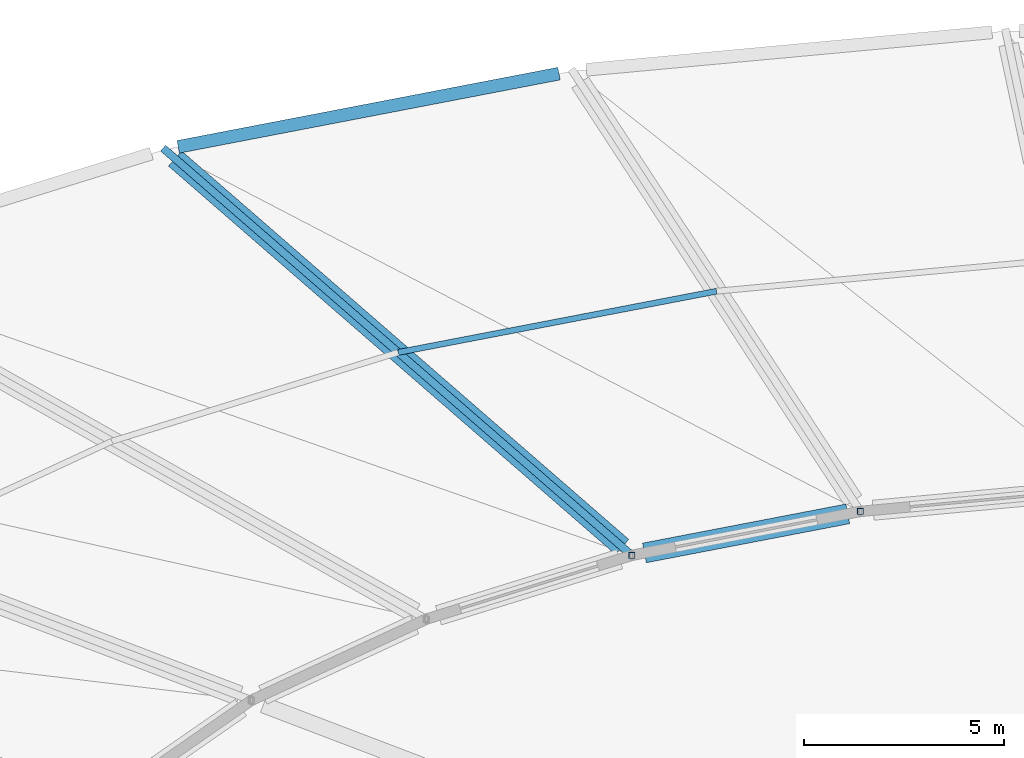
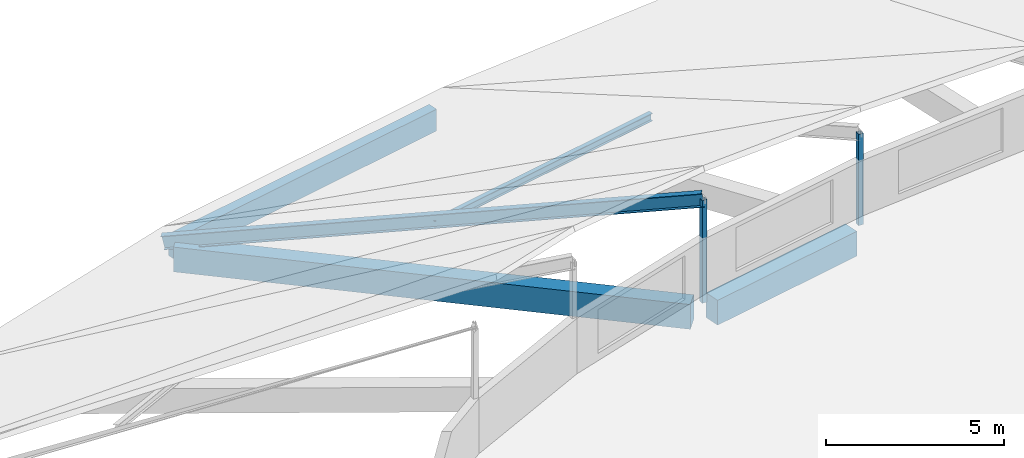
# One storey, part 69 of 142: 4 members, 3 beams.
"""IFC4 building model written with IfcOpenShell, lengths in metres."""

from ifc_helpers import new_model, si_unit, direction, frame, origin, origin_2d, place, context, subcontext, project, spatial, rectangle, hollow_rectangle, i_section, extrude, material, material_profile, profile_set, type_object, element, save


model = new_model("IFC4")

# Units and contexts
model_context = context("Model", 3, precision=1e-05, world=origin(), true_north=direction((0.0, 1.0)))
body_context = subcontext(model_context, "Body", "Model", "MODEL_VIEW")
ifc_project = project(units=[si_unit("LENGTHUNIT", "METRE"), si_unit("AREAUNIT", "SQUARE_METRE"), si_unit("VOLUMEUNIT", "CUBIC_METRE"), si_unit("PLANEANGLEUNIT", "RADIAN"), si_unit("MASSUNIT", "GRAM", prefix="KILO")], contexts=[model_context])

# Site, building, storey
site_placement = place(None, origin())
site = spatial("IfcSite", under=ifc_project, at=site_placement, CompositionType="ELEMENT")
building_placement = place(site_placement, origin())
building = spatial("IfcBuilding", under=site, at=building_placement, Name="Corvandel Quay Wholesale Market", CompositionType="ELEMENT")
storey_placement = place(building_placement, frame((0.0, 0.0, 10.800048828125)))
storey = spatial("IfcBuildingStorey", under=building, at=storey_placement, Name="L02", CompositionType="ELEMENT", Elevation=10.800048828125)

# Beams
ifc_material_1 = material(Name="Precast concrete C45/55", Category="concrete")
ifc_material_profile_1 = material_profile(ifc_material_1, rectangle(XDim=0.5, YDim=0.85009765625, at=origin_2d()), Name="PC-GIR-500x850")
ifc_profile_set_1 = profile_set([ifc_material_profile_1], Name="Precast concrete C45/55")
beam_type_1 = type_object("IfcBeamType", Name="Fish Hall Radial Girder G04 500x850", PredefinedType="USERDEFINED", material=ifc_profile_set_1)
beam_1_placement = place(storey_placement, frame((104.538818359375, 129.939697265625, -0.7451171875), z_axis=(-0.982025294811, -0.188749358548, 0.0), x_axis=(0.188749358548, -0.982025294811, 0.0)))
element("IfcBeam", 1, at=beam_1_placement, inside=storey, type_object=beam_type_1, Name="Beam BM-0588", ObjectType="GIRDER", PredefinedType="USERDEFINED", context=body_context, shape_type="SweptSolid", body=[
    extrude(rectangle(XDim=0.5, YDim=0.85009765625, at=origin_2d()), origin(), (0.0, 0.0, 1.0), 5.172607421875),
])
beam_2_placement = place(storey_placement, frame((87.734619140625, 138.814697265625, -0.7451171875), z_axis=(0.754940447909, -0.655793351683, 0.0), x_axis=(0.655793351683, 0.754940447909, 0.0)))
element("IfcBeam", 2, at=beam_2_placement, inside=storey, type_object=beam_type_1, Name="Beam BM-0596", ObjectType="GIRDER", PredefinedType="USERDEFINED", context=body_context, shape_type="SweptSolid", body=[
    extrude(rectangle(XDim=0.5, YDim=0.85009765625, at=origin_2d()), origin(), (0.0, 0.0, 1.0), 14.794189453125),
])
ifc_material_profile_2 = material_profile(ifc_material_1, rectangle(XDim=0.320068359375, YDim=0.75, at=origin_2d()), Name="PC-SPN-320x750")
ifc_profile_set_2 = profile_set([ifc_material_profile_2], Name="Precast concrete C45/55")
beam_type_2 = type_object("IfcBeamType", Name="Pavilion Precast Spandrel SP02 320x750", PredefinedType="SPANDREL", material=ifc_profile_set_2)
beam_3_placement = place(storey_placement, frame((97.326171875, 140.935791015625, -0.695068359375), z_axis=(-0.982004829196, -0.188855805938, 0.0), x_axis=(0.188855805938, -0.982004829196, 0.0)))
element("IfcBeam", 3, at=beam_3_placement, inside=storey, type_object=beam_type_2, Name="Beam BM-0587", PredefinedType="SPANDREL", context=body_context, shape_type="SweptSolid", body=[
    extrude(rectangle(XDim=0.320068359375, YDim=0.75, at=origin_2d()), origin(), (0.0, 0.0, 1.0), 9.687744140625),
])

# Members
ifc_material_2 = material(Name="Steel A992 Grade 50", Category="steel")
ifc_material_profile_3 = material_profile(ifc_material_2, i_section(OverallWidth=0.14697265625, OverallDepth=0.261962890625, WebThickness=0.006591796875, FlangeThickness=0.01123046875, at=origin_2d()), Name="W10X26")
ifc_profile_set_3 = profile_set([ifc_material_profile_3], Name="Steel A992 Grade 50")
member_type_1 = type_object("IfcMemberType", Name="Roof Clerestory Purlin Rafter RF03 W10X26", PredefinedType="RAFTER", material=ifc_profile_set_3)
member_1_placement = place(storey_placement, frame((101.259033203125, 135.50048828125, 1.281005859375), z_axis=(-0.982010533933, -0.188826140258, 0.0), x_axis=(0.188826140258, -0.982010533933, 0.0)))
element("IfcMember", 4, at=member_1_placement, inside=storey, type_object=member_type_1, Name="Member MEM-0012", PredefinedType="RAFTER", context=body_context, shape_type="SweptSolid", body=[
    extrude(i_section(OverallWidth=0.14697265625, OverallDepth=0.261962890625, WebThickness=0.006591796875, FlangeThickness=0.01123046875, at=origin_2d()), origin(), (0.0, 0.0, 1.0), 8.094970703125),
])
ifc_material_profile_4 = material_profile(ifc_material_2, i_section(OverallWidth=0.19091796875, OverallDepth=0.4599609375, WebThickness=0.010009765625, FlangeThickness=0.01611328125, at=origin_2d()), Name="W18X55")
ifc_profile_set_4 = profile_set([ifc_material_profile_4], Name="Steel A992 Grade 50")
member_type_2 = type_object("IfcMemberType", Name="Sawtooth Clerestory Rafter RF02 W18X55", PredefinedType="RAFTER", material=ifc_profile_set_4)
member_2_placement = place(storey_placement, frame((87.47412109375, 139.041015625, -0.340087890625), z_axis=(0.736096110947, -0.639410739835, 0.222073008788), x_axis=(0.655785682132, 0.754947110142, 0.0)))
element("IfcMember", 5, at=member_2_placement, inside=storey, type_object=member_type_2, Name="Member MEM-0013", PredefinedType="RAFTER", context=body_context, shape_type="SweptSolid", body=[
    extrude(i_section(OverallWidth=0.19091796875, OverallDepth=0.4599609375, WebThickness=0.010009765625, FlangeThickness=0.01611328125, at=origin_2d()), origin(), (0.0, 0.0, 1.0), 15.855224609375),
])
ifc_material_3 = material(Name="Steel A500 Grade C", Category="steel")
ifc_material_profile_5 = material_profile(ifc_material_3, hollow_rectangle(XDim=0.152099609375, YDim=0.152099609375, WallThickness=0.0087890625, at=origin_2d()), Name="HSS6X6X3/8")
ifc_profile_set_5 = profile_set([ifc_material_profile_5], Name="Steel A500 Grade C")
member_type_3 = type_object("IfcMemberType", Name="Sawtooth Truss Web Brace BR03 HSS6X6", PredefinedType="BRACE", material=ifc_profile_set_5)
member_3_placement = place(storey_placement, frame((104.85302734375, 130.0, -0.340087890625), z_axis=(0.0, 0.0, 1.0), x_axis=(1.0, 0.0, 0.0)))
element("IfcMember", 6, at=member_3_placement, inside=storey, type_object=member_type_3, Name="Member MEM-0011", PredefinedType="BRACE", context=body_context, shape_type="SweptSolid", body=[
    extrude(hollow_rectangle(XDim=0.152099609375, YDim=0.152099609375, WallThickness=0.0087890625, at=origin_2d()), origin(), (0.0, 0.0, 1.0), 3.134033203125),
])
member_4_placement = place(storey_placement, frame((99.14501953125, 128.903076171875, -0.340087890625), z_axis=(0.0, 0.0, 1.0), x_axis=(1.0, 0.0, 0.0)))
element("IfcMember", 7, at=member_4_placement, inside=storey, type_object=member_type_3, Name="Member MEM-0014", PredefinedType="BRACE", context=body_context, shape_type="SweptSolid", body=[
    extrude(hollow_rectangle(XDim=0.152099609375, YDim=0.152099609375, WallThickness=0.0087890625, at=origin_2d()), origin(), (0.0, 0.0, 1.0), 3.52099609375),
])

save(model, "model.ifc")
